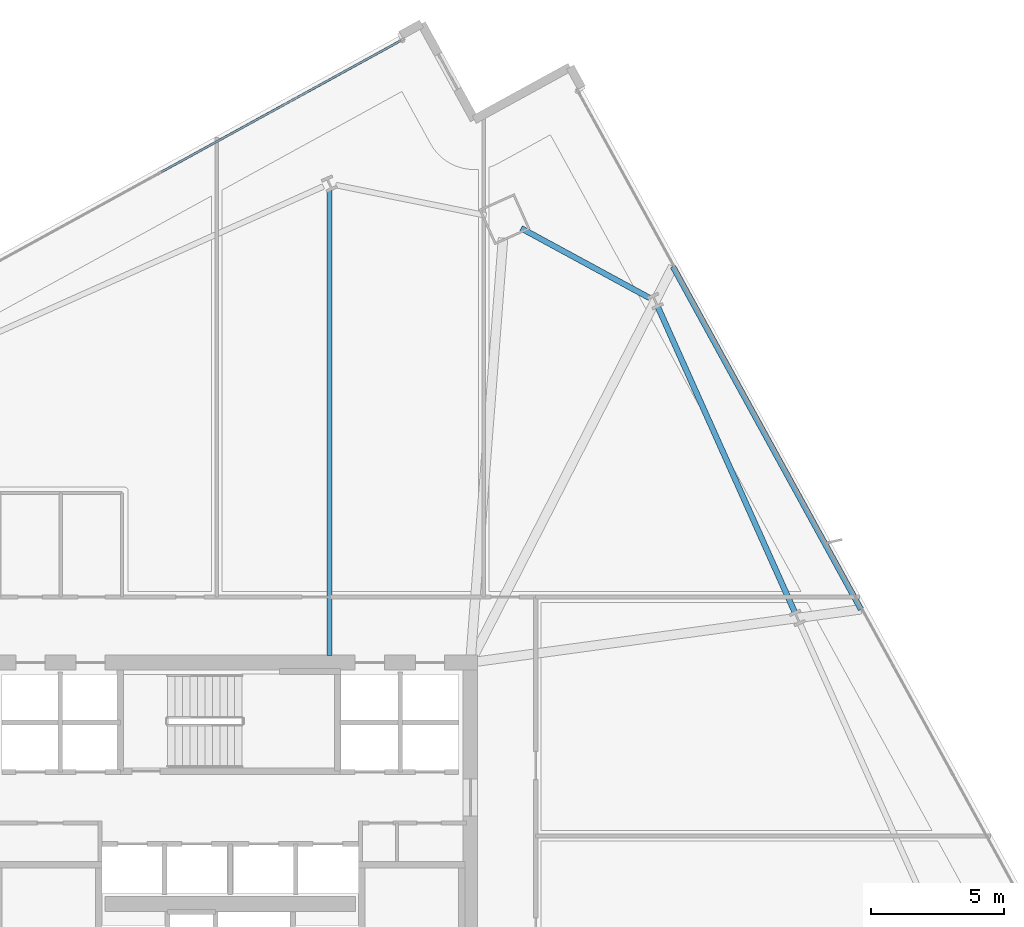
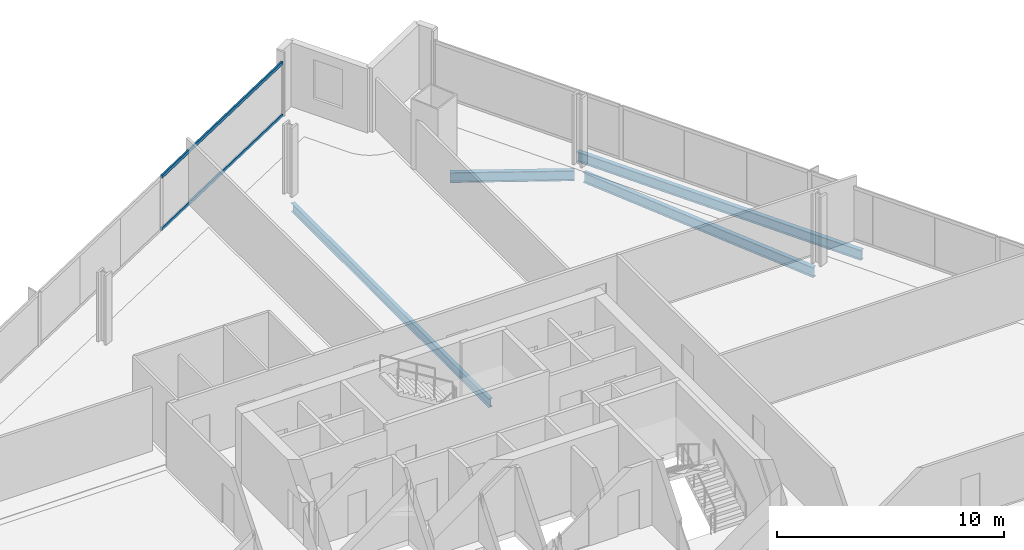
# One storey, part 19 of 33: 4 beams, 2 members, 1 element without a shape of its own.
"""IFC4 building model written with IfcOpenShell, lengths in metres."""

from ifc_helpers import new_model, si_unit, direction, frame, origin, origin_2d, place, context, subcontext, project, spatial, hollow_rectangle, i_section, extrude, material, material_profile, profile_set, type_object, element, aggregate, save


model = new_model("IFC4")

# Units and contexts
model_context = context("Model", 3, precision=1e-05, world=origin(), true_north=direction((0.0, 1.0)))
body_context = subcontext(model_context, "Body", "Model", "MODEL_VIEW")
ifc_project = project(units=[si_unit("LENGTHUNIT", "METRE"), si_unit("AREAUNIT", "SQUARE_METRE"), si_unit("VOLUMEUNIT", "CUBIC_METRE"), si_unit("PLANEANGLEUNIT", "RADIAN"), si_unit("MASSUNIT", "GRAM", prefix="KILO")], contexts=[model_context])

# Site, building, storey
site_placement = place(None, origin())
site = spatial("IfcSite", under=ifc_project, at=site_placement, CompositionType="ELEMENT")
building_placement = place(site_placement, origin())
building = spatial("IfcBuilding", under=site, at=building_placement, Name="Haldenkirk Collegiate Tower", CompositionType="ELEMENT")
storey_placement = place(building_placement, frame((0.0, 0.0, 124.199951171875)))
storey = spatial("IfcBuildingStorey", under=building, at=storey_placement, Name="L30", CompositionType="ELEMENT", Elevation=124.199951171875)

# Beams
ifc_material_1 = material(Name="Steel ASTM A992 Grade 50", Category="steel")
ifc_material_profile_1 = material_profile(ifc_material_1, i_section(OverallWidth=0.19189453125, OverallDepth=0.462890625, WebThickness=0.010498046875, FlangeThickness=0.017578125, at=origin_2d()), Name="W18X60")
ifc_profile_set_1 = profile_set([ifc_material_profile_1], Name="Steel ASTM A992 Grade 50")
beam_type_1 = type_object("IfcBeamType", Name="BM-JOIST-W18X60", PredefinedType="JOIST", material=ifc_profile_set_1)
beam_1_placement = place(storey_placement, frame((39.71630859375, 51.6953125, -0.531494140625), z_axis=(0.0, -1.0, 0.0), x_axis=(1.0, 0.0, 0.0)))
element("IfcBeam", 1, at=beam_1_placement, inside=storey, type_object=beam_type_1, Name="L30 composite floor joist 11", PredefinedType="JOIST", context=body_context, shape_type="SweptSolid", body=[
    extrude(i_section(OverallWidth=0.19189453125, OverallDepth=0.462890625, WebThickness=0.010498046875, FlangeThickness=0.017578125, at=origin_2d()), origin(), (0.0, 0.0, 1.0), 17.4404296875),
])
ifc_material_profile_2 = material_profile(ifc_material_1, i_section(OverallWidth=0.2119140625, OverallDepth=0.5439453125, WebThickness=0.01318359375, FlangeThickness=0.021240234375, at=origin_2d()), Name="W21X83")
ifc_profile_set_2 = profile_set([ifc_material_profile_2], Name="Steel ASTM A992 Grade 50")
beam_type_2 = type_object("IfcBeamType", Name="BM-SPANDREL-W21X83", PredefinedType="SPANDREL", material=ifc_profile_set_2)
beam_2_placement = place(storey_placement, frame((57.15478515625, 35.89111328125, -0.572021484375), z_axis=(-0.409131464477, 0.912475448861, 0.0), x_axis=(-0.912475448861, -0.409131464477, 0.0)))
element("IfcBeam", 2, at=beam_2_placement, inside=storey, type_object=beam_type_2, Name="L30 perimeter spandrel beam 07", PredefinedType="SPANDREL", context=body_context, shape_type="SweptSolid", body=[
    extrude(i_section(OverallWidth=0.2119140625, OverallDepth=0.5439453125, WebThickness=0.01318359375, FlangeThickness=0.021240234375, at=origin_2d()), origin(), (0.0, 0.0, 1.0), 12.524169921875),
])
beam_3_placement = place(storey_placement, frame((51.714599609375, 47.66015625, -0.572021484375), z_axis=(-0.878835810931, 0.477124320723, 0.0), x_axis=(-0.477124320723, -0.878835810931, 0.0)))
element("IfcBeam", 3, at=beam_3_placement, inside=storey, type_object=beam_type_2, Name="L30 perimeter spandrel beam 08", PredefinedType="SPANDREL", context=body_context, shape_type="SweptSolid", body=[
    extrude(i_section(OverallWidth=0.2119140625, OverallDepth=0.5439453125, WebThickness=0.01318359375, FlangeThickness=0.021240234375, at=origin_2d()), origin(), (0.0, 0.0, 1.0), 5.477783203125),
])
beam_4_placement = place(storey_placement, frame((59.63818359375, 35.991455078125, -0.572021484375), z_axis=(-0.480985108643, 0.876728763794, 0.0), x_axis=(-0.876728763794, -0.480985108643, 0.0)))
element("IfcBeam", 4, at=beam_4_placement, inside=storey, type_object=beam_type_2, Name="L30 outer facade edge beam 2", PredefinedType="SPANDREL", context=body_context, shape_type="SweptSolid", body=[
    extrude(i_section(OverallWidth=0.2119140625, OverallDepth=0.5439453125, WebThickness=0.01318359375, FlangeThickness=0.021240234375, at=origin_2d()), origin(), (0.0, 0.0, 1.0), 14.64990234375),
])

# Curtain wall, members
ifc_material_2 = material(Name="Anodised architectural bronze aluminium", Category="aluminium")
curtain_wall_type = type_object("IfcCurtainWallType", Name="CW-SYS1-CONVEX-LOW", PredefinedType="USERDEFINED", material=ifc_material_2)
curtain_wall_placement = place(storey_placement, origin())
curtain_wall = element("IfcCurtainWall", 5, at=curtain_wall_placement, inside=storey, type_object=curtain_wall_type, Name="L30 Lower tower convex bronze-framed unitised curtain wall", ObjectType="UNITISED CURTAIN WALL", PredefinedType="USERDEFINED")
ifc_material_profile_3 = material_profile(ifc_material_2, hollow_rectangle(XDim=0.080078125, YDim=0.179931640625, WallThickness=0.0048828125, at=origin_2d()), Name="CW-TRN-1A")
ifc_profile_set_3 = profile_set([ifc_material_profile_3], Name="Anodised architectural bronze aluminium")
member_type = type_object("IfcMemberType", Name="CW-TRN-1A", PredefinedType="USERDEFINED", material=ifc_profile_set_3)
member_1_placement = place(storey_placement, frame((33.409423828125, 52.375244140625, 0.0400390625), z_axis=(0.876721087788, 0.480999100029, 0.0), x_axis=(-0.480999100029, 0.876721087788, 0.0)))
member_1 = element("IfcMember", 6, at=member_1_placement, type_object=member_type, Name="CW-1A transom 4.1", ObjectType="TRANSOM", PredefinedType="USERDEFINED", context=body_context, shape_type="SweptSolid", body=[
    extrude(hollow_rectangle(XDim=0.080078125, YDim=0.179931640625, WallThickness=0.0048828125, at=origin_2d()), origin(), (0.0, 0.0, 1.0), 10.2548828125),
])
member_2_placement = place(storey_placement, frame((33.409423828125, 52.375244140625, 2.861083984375), z_axis=(0.876721087788, 0.480999100029, 0.0), x_axis=(-0.480999100029, 0.876721087788, 0.0)))
member_2 = element("IfcMember", 7, at=member_2_placement, type_object=member_type, Name="CW-1A transom 4.2", ObjectType="TRANSOM", PredefinedType="USERDEFINED", context=body_context, shape_type="SweptSolid", body=[
    extrude(hollow_rectangle(XDim=0.080078125, YDim=0.179931640625, WallThickness=0.0048828125, at=origin_2d()), origin(), (0.0, 0.0, 1.0), 10.2548828125),
])
aggregate(curtain_wall, [member_1, member_2])

save(model, "model.ifc")
